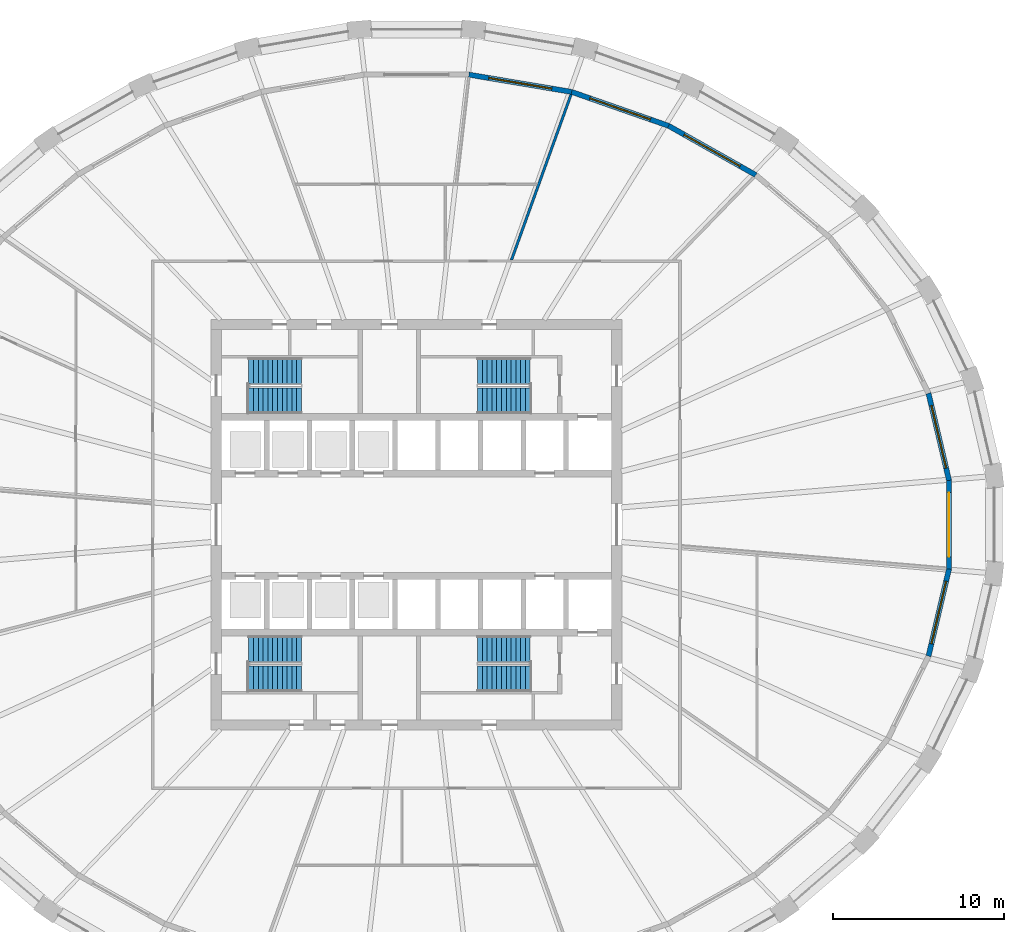
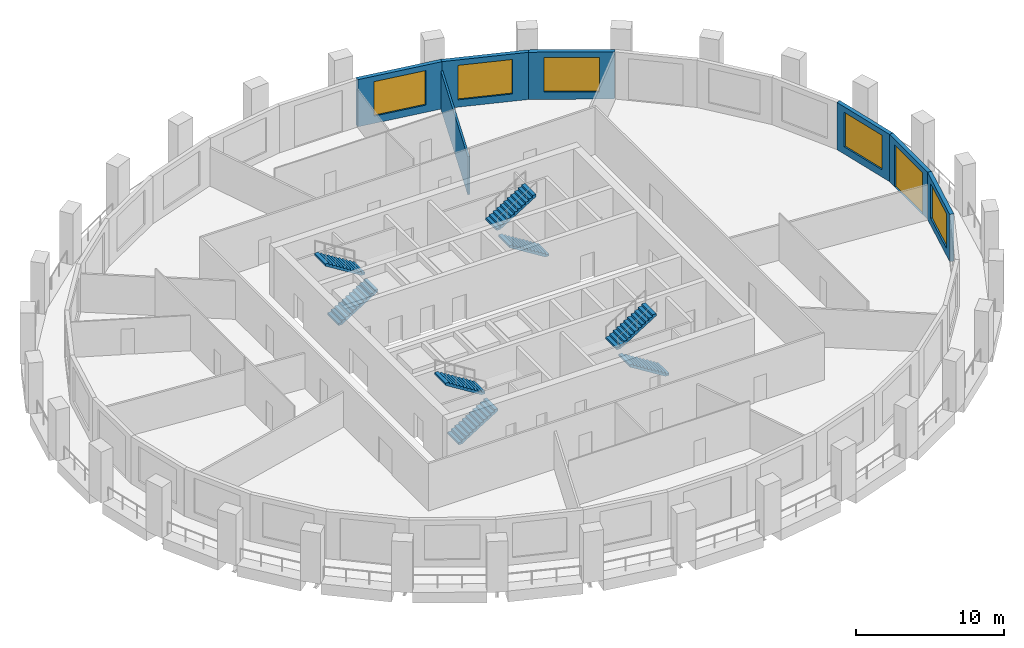
# One storey, part 7 of 10: 8 stair flights, 7 walls, 5 windows, 1 door, 6 openings, 4 elements without a shape of their own.
"""IFC4 building model written with IfcOpenShell, lengths in metres."""

from ifc_helpers import new_model, si_unit, direction, frame, frame_2d, origin, place, context, subcontext, project, spatial, polyline, rectangle, outline, extrude, material, layer, layer_set, type_object, element, fill, aggregate, save


model = new_model("IFC4")

# Units and contexts
model_context = context("Model", 3, precision=1e-05, world=origin(), true_north=direction((0.0, 1.0)))
body_context = subcontext(model_context, "Body", "Model", "MODEL_VIEW")
ifc_project = project(units=[si_unit("LENGTHUNIT", "METRE"), si_unit("AREAUNIT", "SQUARE_METRE"), si_unit("VOLUMEUNIT", "CUBIC_METRE"), si_unit("PLANEANGLEUNIT", "RADIAN"), si_unit("MASSUNIT", "GRAM", prefix="KILO")], contexts=[model_context])

# Site, building, storey
site_placement = place(None, origin())
site = spatial("IfcSite", under=ifc_project, at=site_placement, CompositionType="ELEMENT")
building_placement = place(site_placement, origin())
building = spatial("IfcBuilding", under=site, at=building_placement, Name="Halqa Exchange Tower", CompositionType="ELEMENT")
storey_placement = place(building_placement, frame((0.0, 0.0, 159.10009765625)))
storey = spatial("IfcBuildingStorey", under=building, at=storey_placement, Name="L36", CompositionType="ELEMENT", Elevation=159.10009765625)

# Wall
ifc_material_1 = material(Name="Fire-rated gypsum board")
ifc_layer_1 = layer(ifc_material_1, 0.14990234375)
ifc_layer_set_1 = layer_set([ifc_layer_1], Name="Fire-rated gypsum board")
wall_type_1 = type_object("IfcWallType", Name="Fire partition EI 60 150", PredefinedType="PARTITIONING", material=ifc_layer_set_1)
wall_1_placement = place(storey_placement, frame((5.54248046875, 15.434814453125, 0.0), z_axis=(0.0, 0.0, 1.0), x_axis=(0.338661655399, 0.940908222497, 0.0)))
element("IfcWall", 1, at=wall_1_placement, inside=storey, type_object=wall_type_1, Name="L36-PWL-019", PredefinedType="PARTITIONING", context=body_context, shape_type="SweptSolid", body=[
    extrude(outline(polyline([(10.318115234375, -0.074951171875), (10.318115234375, -0.04296875), (10.317626953125, 0.0029296875), (10.3046875, 0.074951171875), (8.4599609375, 0.074951171875), (6.615234375, 0.074951171875), (4.770263671875, 0.074951171875), (4.677490234375, 0.04150390625), (4.66552734375, 0.074951171875), (3.1103515625, 0.074951171875), (1.55517578125, 0.074951171875), (0.0, 0.074951171875), (0.0, 0.074462890625), (0.01953125, 0.020263671875), (0.03369140625, 0.025390625), (0.069580078125, -0.074951171875), (1.77783203125, -0.074951171875), (3.48583984375, -0.074951171875), (5.19384765625, -0.074951171875), (6.90185546875, -0.074951171875), (8.610107421875, -0.074951171875), (10.318115234375, -0.074951171875)])), origin(), (0.0, 0.0, 1.0), 3.14697265625),
])

# Wall, opening, window
ifc_material_2 = material(Name="Limestone cladding", Category="masonry")
ifc_layer_2 = layer(ifc_material_2, 0.0400390625)
ifc_material_3 = material(Name="Ventilated cavity")
ifc_layer_3 = layer(ifc_material_3, 0.030029296875, ventilated=True)
ifc_material_4 = material(Name="Mineral wool insulation")
ifc_layer_4 = layer(ifc_material_4, 0.10009765625)
ifc_material_5 = material(Name="Concrete C30/37", Category="concrete")
ifc_layer_5 = layer(ifc_material_5, 0.10009765625)
ifc_material_6 = material(Name="Internal plaster")
ifc_layer_6 = layer(ifc_material_6, 0.030029296875)
ifc_layer_set_2 = layer_set([ifc_layer_2, ifc_layer_3, ifc_layer_4, ifc_layer_5, ifc_layer_6], Name="Stone-faced insulated wall 300")
wall_type_2 = type_object("IfcWallType", Name="Stone-faced insulated wall 300", PredefinedType="STANDARD", material=ifc_layer_set_2)
wall_2_placement = place(storey_placement, frame((31.12109375, 2.5927734375, 0.0), z_axis=(0.0, 0.0, 1.0), x_axis=(-0.229297175564, 0.973356463624, 0.0)))
wall_2 = element("IfcWall", 2, at=wall_2_placement, inside=storey, type_object=wall_type_2, Name="Glass-line wall 1", PredefinedType="STANDARD", context=body_context, shape_type="SweptSolid", body=[
    extrude(outline(polyline([(-0.017333984375, -0.14990234375), (5.241455078125, -0.14990234375), (5.207763671875, 0.14990234375), (0.017333984375, 0.14990234375), (-0.017333984375, -0.14990234375)])), origin(), (0.0, 0.0, 1.0), 3.89990234375),
])
opening_1_placement = place(wall_2_placement, frame((0.7373046875, 0.0, 0.60009765625)))
opening_1 = element("IfcOpeningElement", 3, at=opening_1_placement, cuts=wall_2, Name="Opening W-F2-01", PredefinedType="OPENING", context=body_context, shape_type="SweptSolid", body=[
    extrude(rectangle(XDim=3.75, YDim=2.85009765625, at=frame_2d((1.875, 1.425048828125))), frame((0.0, 0.162109375, 0.0), z_axis=(0.0, -1.0, 0.0), x_axis=(1.0, 0.0, 0.0)), (0.0, 0.0, 1.0), 0.323974609375),
])
ifc_material_7 = material(Name="Clear low-emissivity glass in aluminium frame", Category="aluminium")
window_type = type_object("IfcWindowType", Name="Fixed clear glazed window 3750 x 2850", PartitioningType="TRIPLE_PANEL_VERTICAL", PredefinedType="WINDOW", material=ifc_material_7)
window_1_placement = place(opening_1_placement, origin())
window_1 = element("IfcWindow", 4, at=window_1_placement, inside=storey, type_object=window_type, Name="Window 2", OverallHeight=2.85009765625, OverallWidth=3.75, PartitioningType="TRIPLE_PANEL_VERTICAL", PredefinedType="WINDOW", context=body_context, shape_type="SweptSolid", body=[
    extrude(rectangle(XDim=3.75, YDim=2.85009765625, at=frame_2d((1.875, 1.425048828125))), frame((0.0, 0.030029296875, 0.0), z_axis=(0.0, -1.0, 0.0), x_axis=(1.0, 0.0, 0.0)), (0.0, 0.0, 1.0), 0.06005859375),
])
fill(opening_1, window_1)

wall_3_placement = place(storey_placement, frame((19.8291015625, 20.434814453125, 0.0), z_axis=(0.0, 0.0, 1.0), x_axis=(-0.870982130072, 0.491314694565, 0.0)))
wall_3 = element("IfcWall", 5, at=wall_3_placement, inside=storey, type_object=wall_type_2, Name="Glass-line wall 5", PredefinedType="STANDARD", context=body_context, shape_type="SweptSolid", body=[
    extrude(outline(polyline([(-0.01416015625, -0.14990234375), (5.864990234375, -0.14990234375), (5.838134765625, 0.14990234375), (0.01416015625, 0.14990234375), (-0.01416015625, -0.14990234375)])), origin(), (0.0, 0.0, 1.0), 3.89990234375),
])
opening_2_placement = place(wall_3_placement, frame((1.05078125, 0.0, 0.60009765625)))
opening_2 = element("IfcOpeningElement", 6, at=opening_2_placement, cuts=wall_3, Name="Opening W-F2-05", PredefinedType="OPENING", context=body_context, shape_type="SweptSolid", body=[
    extrude(rectangle(XDim=3.75, YDim=2.85009765625, at=frame_2d((1.875, 1.425048828125))), frame((0.0, 0.162109375, 0.0), z_axis=(0.0, -1.0, 0.0), x_axis=(1.0, 0.0, 0.0)), (0.0, 0.0, 1.0), 0.323974609375),
])
window_2_placement = place(opening_2_placement, origin())
window_2 = element("IfcWindow", 7, at=window_2_placement, inside=storey, type_object=window_type, Name="Window 2", OverallHeight=2.85009765625, OverallWidth=3.75, PartitioningType="TRIPLE_PANEL_VERTICAL", PredefinedType="WINDOW", context=body_context, shape_type="SweptSolid", body=[
    extrude(rectangle(XDim=3.75, YDim=2.85009765625, at=frame_2d((1.875, 1.425048828125))), frame((0.0, 0.030029296875, 0.0), z_axis=(0.0, -1.0, 0.0), x_axis=(1.0, 0.0, 0.0)), (0.0, 0.0, 1.0), 0.06005859375),
])
fill(opening_2, window_2)

wall_4_placement = place(storey_placement, frame((14.732421875, 23.309814453125, 0.0), z_axis=(0.0, 0.0, 1.0), x_axis=(-0.943944636678, 0.330103806228, 0.0)))
wall_4 = element("IfcWall", 8, at=wall_4_placement, inside=storey, type_object=wall_type_2, Name="Glass-line wall 6", PredefinedType="STANDARD", context=body_context, shape_type="SweptSolid", body=[
    extrude(outline(polyline([(-0.013427734375, -0.14990234375), (6.010009765625, -0.14990234375), (5.984619140625, 0.14990234375), (0.013427734375, 0.14990234375), (-0.013427734375, -0.14990234375)])), origin(), (0.0, 0.0, 1.0), 3.89990234375),
])
opening_3_placement = place(wall_4_placement, frame((1.12353515625, 0.0, 0.60009765625)))
opening_3 = element("IfcOpeningElement", 9, at=opening_3_placement, cuts=wall_4, Name="Opening W-F2-06", PredefinedType="OPENING", context=body_context, shape_type="SweptSolid", body=[
    extrude(rectangle(XDim=3.75, YDim=2.85009765625, at=frame_2d((1.875, 1.425048828125))), frame((0.0, 0.162109375, 0.0), z_axis=(0.0, -1.0, 0.0), x_axis=(1.0, 0.0, 0.0)), (0.0, 0.0, 1.0), 0.323974609375),
])
window_3_placement = place(opening_3_placement, origin())
window_3 = element("IfcWindow", 10, at=window_3_placement, inside=storey, type_object=window_type, Name="Window 2", OverallHeight=2.85009765625, OverallWidth=3.75, PartitioningType="TRIPLE_PANEL_VERTICAL", PredefinedType="WINDOW", context=body_context, shape_type="SweptSolid", body=[
    extrude(rectangle(XDim=3.75, YDim=2.85009765625, at=frame_2d((1.875, 1.425048828125))), frame((0.0, 0.030029296875, 0.0), z_axis=(0.0, -1.0, 0.0), x_axis=(1.0, 0.0, 0.0)), (0.0, 0.0, 1.0), 0.06005859375),
])
fill(opening_3, window_3)

wall_5_placement = place(storey_placement, frame((9.0712890625, 25.28955078125, 0.0), z_axis=(0.0, 0.0, 1.0), x_axis=(-0.98618955457, 0.165620537547, 0.0)))
wall_5 = element("IfcWall", 11, at=wall_5_placement, inside=storey, type_object=wall_type_2, Name="Glass-line wall 7", PredefinedType="STANDARD", context=body_context, shape_type="SweptSolid", body=[
    extrude(outline(polyline([(-0.0126953125, -0.14990234375), (6.10498046875, -0.14990234375), (6.080078125, 0.14990234375), (0.0126953125, 0.14990234375), (-0.0126953125, -0.14990234375)])), origin(), (0.0, 0.0, 1.0), 3.89990234375),
])
opening_4_placement = place(wall_5_placement, frame((1.17138671875, 0.0, 0.60009765625)))
opening_4 = element("IfcOpeningElement", 12, at=opening_4_placement, cuts=wall_5, Name="Opening W-F2-07", PredefinedType="OPENING", context=body_context, shape_type="SweptSolid", body=[
    extrude(rectangle(XDim=3.75, YDim=2.85009765625, at=frame_2d((1.875, 1.425048828125))), frame((0.0, 0.162109375, 0.0), z_axis=(0.0, -1.0, 0.0), x_axis=(1.0, 0.0, 0.0)), (0.0, 0.0, 1.0), 0.323974609375),
])
window_4_placement = place(opening_4_placement, origin())
window_4 = element("IfcWindow", 13, at=window_4_placement, inside=storey, type_object=window_type, Name="Window 2", OverallHeight=2.85009765625, OverallWidth=3.75, PartitioningType="TRIPLE_PANEL_VERTICAL", PredefinedType="WINDOW", context=body_context, shape_type="SweptSolid", body=[
    extrude(rectangle(XDim=3.75, YDim=2.85009765625, at=frame_2d((1.875, 1.425048828125))), frame((0.0, 0.030029296875, 0.0), z_axis=(0.0, -1.0, 0.0), x_axis=(1.0, 0.0, 0.0)), (0.0, 0.0, 1.0), 0.06005859375),
])
fill(opening_4, window_4)

wall_6_placement = place(storey_placement, frame((29.923095703125, -7.67822265625, 0.0), z_axis=(0.0, 0.0, 1.0), x_axis=(0.229297175564, 0.973356463624, 0.0)))
wall_6 = element("IfcWall", 14, at=wall_6_placement, inside=storey, type_object=wall_type_2, Name="Glass-line wall 31", PredefinedType="STANDARD", context=body_context, shape_type="SweptSolid", body=[
    extrude(outline(polyline([(-0.016845703125, -0.14990234375), (5.241943359375, -0.14990234375), (5.207275390625, 0.14990234375), (0.016845703125, 0.14990234375), (-0.016845703125, -0.14990234375)])), origin(), (0.0, 0.0, 1.0), 3.89990234375),
])
opening_5_placement = place(wall_6_placement, frame((0.7373046875, 0.0, 0.60009765625)))
opening_5 = element("IfcOpeningElement", 15, at=opening_5_placement, cuts=wall_6, Name="Opening W-F2-31", PredefinedType="OPENING", context=body_context, shape_type="SweptSolid", body=[
    extrude(rectangle(XDim=3.75, YDim=2.85009765625, at=frame_2d((1.875, 1.425048828125))), frame((0.0, 0.162109375, 0.0), z_axis=(0.0, -1.0, 0.0), x_axis=(1.0, 0.0, 0.0)), (0.0, 0.0, 1.0), 0.323974609375),
])
window_5_placement = place(opening_5_placement, origin())
window_5 = element("IfcWindow", 16, at=window_5_placement, inside=storey, type_object=window_type, Name="Window 2", OverallHeight=2.85009765625, OverallWidth=3.75, PartitioningType="TRIPLE_PANEL_VERTICAL", PredefinedType="WINDOW", context=body_context, shape_type="SweptSolid", body=[
    extrude(rectangle(XDim=3.75, YDim=2.85009765625, at=frame_2d((1.875, 1.425048828125))), frame((0.0, 0.030029296875, 0.0), z_axis=(0.0, -1.0, 0.0), x_axis=(1.0, 0.0, 0.0)), (0.0, 0.0, 1.0), 0.06005859375),
])
fill(opening_5, window_5)

# Wall, opening, door
wall_7_placement = place(storey_placement, frame((31.12109375, -2.5927734375, 0.0), z_axis=(0.0, 0.0, 1.0), x_axis=(0.0, 1.0, 0.0)))
wall_7 = element("IfcWall", 17, at=wall_7_placement, inside=storey, type_object=wall_type_2, Name="Glass-line wall 32", PredefinedType="STANDARD", context=body_context, shape_type="SweptSolid", body=[
    extrude(outline(polyline([(-0.017333984375, -0.14990234375), (5.202880859375, -0.14990234375), (5.168212890625, 0.14990234375), (0.017333984375, 0.14990234375), (-0.017333984375, -0.14990234375)])), origin(), (0.0, 0.0, 1.0), 3.89990234375),
])
opening_6_placement = place(wall_7_placement, frame((0.7177734375, 0.0, 0.0)))
opening_6 = element("IfcOpeningElement", 18, at=opening_6_placement, cuts=wall_7, Name="Opening LG-F2-08", PredefinedType="OPENING", context=body_context, shape_type="SweptSolid", body=[
    extrude(rectangle(XDim=3.75, YDim=3.449951171875, at=frame_2d((1.875, 1.72509765625))), frame((0.0, 0.162109375, 0.0), z_axis=(0.0, -1.0, 0.0), x_axis=(1.0, 0.0, 0.0)), (0.0, 0.0, 1.0), 0.323974609375),
])
door_type = type_object("IfcDoorType", Name="Glazed sliding loggia door 3750 x 3450", OperationType="DOUBLE_DOOR_SLIDING", PredefinedType="DOOR", material=ifc_material_7)
door_placement = place(opening_6_placement, origin())
door = element("IfcDoor", 19, at=door_placement, inside=storey, type_object=door_type, Name="Loggia door 8", OperationType="DOUBLE_DOOR_SLIDING", OverallHeight=3.449951171875, OverallWidth=3.75, PredefinedType="DOOR", context=body_context, shape_type="SweptSolid", body=[
    extrude(rectangle(XDim=3.75, YDim=3.449951171875, at=frame_2d((1.875, 1.72509765625))), frame((0.0, 0.02490234375, 0.0), z_axis=(0.0, -1.0, 0.0), x_axis=(1.0, 0.0, 0.0)), (0.0, 0.0, 1.0), 0.050048828125),
])
fill(opening_6, door)

# Stair, stair flights
stair_type = type_object("IfcStairType", Name="Exit stair 1500 wide", PredefinedType="HALF_TURN_STAIR", material=ifc_material_5)
stair_1_placement = place(storey_placement, origin())
stair_1 = element("IfcStair", 20, at=stair_1_placement, inside=storey, type_object=stair_type, Name="Exit stair ST1", PredefinedType="HALF_TURN_STAIR")
stair_flight_type = type_object("IfcStairFlightType", Name="Stair flight 1500 wide", PredefinedType="STRAIGHT", material=ifc_material_5)
stair_flight_1_placement = place(storey_placement, frame((-9.800048828125, 7.25, 0.0), z_axis=(0.0, 0.0, 1.0), x_axis=(1.0, 0.0, 0.0)))
stair_flight_1 = element("IfcStairFlight", 21, at=stair_flight_1_placement, type_object=stair_flight_type, Name="ST1 flight 1", NumberOfRisers=12, NumberOfTreads=11, PredefinedType="STRAIGHT", RiserHeight=0.175, TreadLength=0.28, context=body_context, shape_type="SweptSolid", body=[
    extrude(outline(polyline([(0.0, 0.0), (0.0, 0.175048828125), (0.280029296875, 0.175048828125), (0.280029296875, 0.35009765625), (0.56005859375, 0.35009765625), (0.56005859375, 0.52490234375), (0.840087890625, 0.52490234375), (0.840087890625, 0.699951171875), (1.1201171875, 0.699951171875), (1.1201171875, 0.875), (1.39990234375, 0.875), (1.39990234375, 1.050048828125), (1.679931640625, 1.050048828125), (1.679931640625, 1.22509765625), (1.9599609375, 1.22509765625), (1.9599609375, 1.39990234375), (2.239990234375, 1.39990234375), (2.239990234375, 1.574951171875), (2.52001953125, 1.574951171875), (2.52001953125, 1.75), (2.800048828125, 1.75), (2.800048828125, 1.925048828125), (3.080078125, 1.925048828125), (3.080078125, 2.10009765625), (3.080078125, 1.748291015625), (0.28271484375, 0.0), (0.0, 0.0)])), frame((0.0, 0.75, 0.0), z_axis=(0.0, -1.0, 0.0), x_axis=(1.0, 0.0, 0.0)), (0.0, 0.0, 1.0), 1.5),
])
stair_flight_2_placement = place(storey_placement, frame((-6.719970703125, 9.0, 2.099853515625), z_axis=(0.0, 0.0, 1.0), x_axis=(-1.0, 0.0, 0.0)))
stair_flight_2 = element("IfcStairFlight", 22, at=stair_flight_2_placement, type_object=stair_flight_type, Name="ST1 flight 2", NumberOfRisers=12, NumberOfTreads=11, PredefinedType="STRAIGHT", RiserHeight=0.175, TreadLength=0.28, context=body_context, shape_type="SweptSolid", body=[
    extrude(outline(polyline([(0.0, 0.0), (0.0, 0.175048828125), (0.280029296875, 0.175048828125), (0.280029296875, 0.35009765625), (0.56005859375, 0.35009765625), (0.56005859375, 0.52490234375), (0.840087890625, 0.52490234375), (0.840087890625, 0.699951171875), (1.1201171875, 0.699951171875), (1.1201171875, 0.875), (1.39990234375, 0.875), (1.39990234375, 1.050048828125), (1.679931640625, 1.050048828125), (1.679931640625, 1.22509765625), (1.9599609375, 1.22509765625), (1.9599609375, 1.39990234375), (2.239990234375, 1.39990234375), (2.239990234375, 1.574951171875), (2.52001953125, 1.574951171875), (2.52001953125, 1.75), (2.800048828125, 1.75), (2.800048828125, 1.925048828125), (3.080078125, 1.925048828125), (3.080078125, 2.10009765625), (3.080078125, 1.748291015625), (0.28271484375, 0.0), (0.0, 0.0)])), frame((0.0, 0.75, 0.0), z_axis=(0.0, -1.0, 0.0), x_axis=(1.0, 0.0, 0.0)), (0.0, 0.0, 1.0), 1.5),
])
aggregate(stair_1, [stair_flight_1, stair_flight_2])

stair_2_placement = place(storey_placement, origin())
stair_2 = element("IfcStair", 23, at=stair_2_placement, inside=storey, type_object=stair_type, Name="Exit stair ST2", PredefinedType="HALF_TURN_STAIR")
stair_flight_3_placement = place(storey_placement, frame((6.64990234375, 7.25, 0.0), z_axis=(0.0, 0.0, 1.0), x_axis=(-1.0, 0.0, 0.0)))
stair_flight_3 = element("IfcStairFlight", 24, at=stair_flight_3_placement, type_object=stair_flight_type, Name="ST2 flight 1", NumberOfRisers=12, NumberOfTreads=11, PredefinedType="STRAIGHT", RiserHeight=0.175, TreadLength=0.28, context=body_context, shape_type="SweptSolid", body=[
    extrude(outline(polyline([(0.0, 0.0), (0.0, 0.175048828125), (0.280029296875, 0.175048828125), (0.280029296875, 0.35009765625), (0.56005859375, 0.35009765625), (0.56005859375, 0.52490234375), (0.840087890625, 0.52490234375), (0.840087890625, 0.699951171875), (1.1201171875, 0.699951171875), (1.1201171875, 0.875), (1.39990234375, 0.875), (1.39990234375, 1.050048828125), (1.679931640625, 1.050048828125), (1.679931640625, 1.22509765625), (1.9599609375, 1.22509765625), (1.9599609375, 1.39990234375), (2.239990234375, 1.39990234375), (2.239990234375, 1.574951171875), (2.52001953125, 1.574951171875), (2.52001953125, 1.75), (2.800048828125, 1.75), (2.800048828125, 1.925048828125), (3.080078125, 1.925048828125), (3.080078125, 2.10009765625), (3.080078125, 1.748291015625), (0.28271484375, 0.0), (0.0, 0.0)])), frame((0.0, 0.75, 0.0), z_axis=(0.0, -1.0, 0.0), x_axis=(1.0, 0.0, 0.0)), (0.0, 0.0, 1.0), 1.5),
])
stair_flight_4_placement = place(storey_placement, frame((3.570068359375, 9.0, 2.099853515625), z_axis=(0.0, 0.0, 1.0), x_axis=(1.0, 0.0, 0.0)))
stair_flight_4 = element("IfcStairFlight", 25, at=stair_flight_4_placement, type_object=stair_flight_type, Name="ST2 flight 2", NumberOfRisers=12, NumberOfTreads=11, PredefinedType="STRAIGHT", RiserHeight=0.175, TreadLength=0.28, context=body_context, shape_type="SweptSolid", body=[
    extrude(outline(polyline([(0.0, 0.0), (0.0, 0.175048828125), (0.280029296875, 0.175048828125), (0.280029296875, 0.35009765625), (0.56005859375, 0.35009765625), (0.56005859375, 0.52490234375), (0.840087890625, 0.52490234375), (0.840087890625, 0.699951171875), (1.1201171875, 0.699951171875), (1.1201171875, 0.875), (1.39990234375, 0.875), (1.39990234375, 1.050048828125), (1.679931640625, 1.050048828125), (1.679931640625, 1.22509765625), (1.9599609375, 1.22509765625), (1.9599609375, 1.39990234375), (2.239990234375, 1.39990234375), (2.239990234375, 1.574951171875), (2.52001953125, 1.574951171875), (2.52001953125, 1.75), (2.800048828125, 1.75), (2.800048828125, 1.925048828125), (3.080078125, 1.925048828125), (3.080078125, 2.10009765625), (3.080078125, 1.748291015625), (0.28271484375, 0.0), (0.0, 0.0)])), frame((0.0, 0.75, 0.0), z_axis=(0.0, -1.0, 0.0), x_axis=(1.0, 0.0, 0.0)), (0.0, 0.0, 1.0), 1.5),
])
aggregate(stair_2, [stair_flight_3, stair_flight_4])

stair_3_placement = place(storey_placement, origin())
stair_3 = element("IfcStair", 26, at=stair_3_placement, inside=storey, type_object=stair_type, Name="Exit stair ST3", PredefinedType="HALF_TURN_STAIR")
stair_flight_5_placement = place(storey_placement, frame((-9.800048828125, -9.0, 0.0), z_axis=(0.0, 0.0, 1.0), x_axis=(1.0, 0.0, 0.0)))
stair_flight_5 = element("IfcStairFlight", 27, at=stair_flight_5_placement, type_object=stair_flight_type, Name="ST3 flight 1", NumberOfRisers=12, NumberOfTreads=11, PredefinedType="STRAIGHT", RiserHeight=0.175, TreadLength=0.28, context=body_context, shape_type="SweptSolid", body=[
    extrude(outline(polyline([(0.0, 0.0), (0.0, 0.175048828125), (0.280029296875, 0.175048828125), (0.280029296875, 0.35009765625), (0.56005859375, 0.35009765625), (0.56005859375, 0.52490234375), (0.840087890625, 0.52490234375), (0.840087890625, 0.699951171875), (1.1201171875, 0.699951171875), (1.1201171875, 0.875), (1.39990234375, 0.875), (1.39990234375, 1.050048828125), (1.679931640625, 1.050048828125), (1.679931640625, 1.22509765625), (1.9599609375, 1.22509765625), (1.9599609375, 1.39990234375), (2.239990234375, 1.39990234375), (2.239990234375, 1.574951171875), (2.52001953125, 1.574951171875), (2.52001953125, 1.75), (2.800048828125, 1.75), (2.800048828125, 1.925048828125), (3.080078125, 1.925048828125), (3.080078125, 2.10009765625), (3.080078125, 1.748291015625), (0.28271484375, 0.0), (0.0, 0.0)])), frame((0.0, 0.75, 0.0), z_axis=(0.0, -1.0, 0.0), x_axis=(1.0, 0.0, 0.0)), (0.0, 0.0, 1.0), 1.5),
])
stair_flight_6_placement = place(storey_placement, frame((-6.719970703125, -7.25, 2.099853515625), z_axis=(0.0, 0.0, 1.0), x_axis=(-1.0, 0.0, 0.0)))
stair_flight_6 = element("IfcStairFlight", 28, at=stair_flight_6_placement, type_object=stair_flight_type, Name="ST3 flight 2", NumberOfRisers=12, NumberOfTreads=11, PredefinedType="STRAIGHT", RiserHeight=0.175, TreadLength=0.28, context=body_context, shape_type="SweptSolid", body=[
    extrude(outline(polyline([(0.0, 0.0), (0.0, 0.175048828125), (0.280029296875, 0.175048828125), (0.280029296875, 0.35009765625), (0.56005859375, 0.35009765625), (0.56005859375, 0.52490234375), (0.840087890625, 0.52490234375), (0.840087890625, 0.699951171875), (1.1201171875, 0.699951171875), (1.1201171875, 0.875), (1.39990234375, 0.875), (1.39990234375, 1.050048828125), (1.679931640625, 1.050048828125), (1.679931640625, 1.22509765625), (1.9599609375, 1.22509765625), (1.9599609375, 1.39990234375), (2.239990234375, 1.39990234375), (2.239990234375, 1.574951171875), (2.52001953125, 1.574951171875), (2.52001953125, 1.75), (2.800048828125, 1.75), (2.800048828125, 1.925048828125), (3.080078125, 1.925048828125), (3.080078125, 2.10009765625), (3.080078125, 1.748291015625), (0.28271484375, 0.0), (0.0, 0.0)])), frame((0.0, 0.75, 0.0), z_axis=(0.0, -1.0, 0.0), x_axis=(1.0, 0.0, 0.0)), (0.0, 0.0, 1.0), 1.5),
])
aggregate(stair_3, [stair_flight_5, stair_flight_6])

stair_4_placement = place(storey_placement, origin())
stair_4 = element("IfcStair", 29, at=stair_4_placement, inside=storey, type_object=stair_type, Name="Exit stair ST4", PredefinedType="HALF_TURN_STAIR")
stair_flight_7_placement = place(storey_placement, frame((6.64990234375, -9.0, 0.0), z_axis=(0.0, 0.0, 1.0), x_axis=(-1.0, 0.0, 0.0)))
stair_flight_7 = element("IfcStairFlight", 30, at=stair_flight_7_placement, type_object=stair_flight_type, Name="ST4 flight 1", NumberOfRisers=12, NumberOfTreads=11, PredefinedType="STRAIGHT", RiserHeight=0.175, TreadLength=0.28, context=body_context, shape_type="SweptSolid", body=[
    extrude(outline(polyline([(0.0, 0.0), (0.0, 0.175048828125), (0.280029296875, 0.175048828125), (0.280029296875, 0.35009765625), (0.56005859375, 0.35009765625), (0.56005859375, 0.52490234375), (0.840087890625, 0.52490234375), (0.840087890625, 0.699951171875), (1.1201171875, 0.699951171875), (1.1201171875, 0.875), (1.39990234375, 0.875), (1.39990234375, 1.050048828125), (1.679931640625, 1.050048828125), (1.679931640625, 1.22509765625), (1.9599609375, 1.22509765625), (1.9599609375, 1.39990234375), (2.239990234375, 1.39990234375), (2.239990234375, 1.574951171875), (2.52001953125, 1.574951171875), (2.52001953125, 1.75), (2.800048828125, 1.75), (2.800048828125, 1.925048828125), (3.080078125, 1.925048828125), (3.080078125, 2.10009765625), (3.080078125, 1.748291015625), (0.28271484375, 0.0), (0.0, 0.0)])), frame((0.0, 0.75, 0.0), z_axis=(0.0, -1.0, 0.0), x_axis=(1.0, 0.0, 0.0)), (0.0, 0.0, 1.0), 1.5),
])
stair_flight_8_placement = place(storey_placement, frame((3.570068359375, -7.25, 2.099853515625), z_axis=(0.0, 0.0, 1.0), x_axis=(1.0, 0.0, 0.0)))
stair_flight_8 = element("IfcStairFlight", 31, at=stair_flight_8_placement, type_object=stair_flight_type, Name="ST4 flight 2", NumberOfRisers=12, NumberOfTreads=11, PredefinedType="STRAIGHT", RiserHeight=0.175, TreadLength=0.28, context=body_context, shape_type="SweptSolid", body=[
    extrude(outline(polyline([(0.0, 0.0), (0.0, 0.175048828125), (0.280029296875, 0.175048828125), (0.280029296875, 0.35009765625), (0.56005859375, 0.35009765625), (0.56005859375, 0.52490234375), (0.840087890625, 0.52490234375), (0.840087890625, 0.699951171875), (1.1201171875, 0.699951171875), (1.1201171875, 0.875), (1.39990234375, 0.875), (1.39990234375, 1.050048828125), (1.679931640625, 1.050048828125), (1.679931640625, 1.22509765625), (1.9599609375, 1.22509765625), (1.9599609375, 1.39990234375), (2.239990234375, 1.39990234375), (2.239990234375, 1.574951171875), (2.52001953125, 1.574951171875), (2.52001953125, 1.75), (2.800048828125, 1.75), (2.800048828125, 1.925048828125), (3.080078125, 1.925048828125), (3.080078125, 2.10009765625), (3.080078125, 1.748291015625), (0.28271484375, 0.0), (0.0, 0.0)])), frame((0.0, 0.75, 0.0), z_axis=(0.0, -1.0, 0.0), x_axis=(1.0, 0.0, 0.0)), (0.0, 0.0, 1.0), 1.5),
])
aggregate(stair_4, [stair_flight_7, stair_flight_8])

save(model, "model.ifc")
